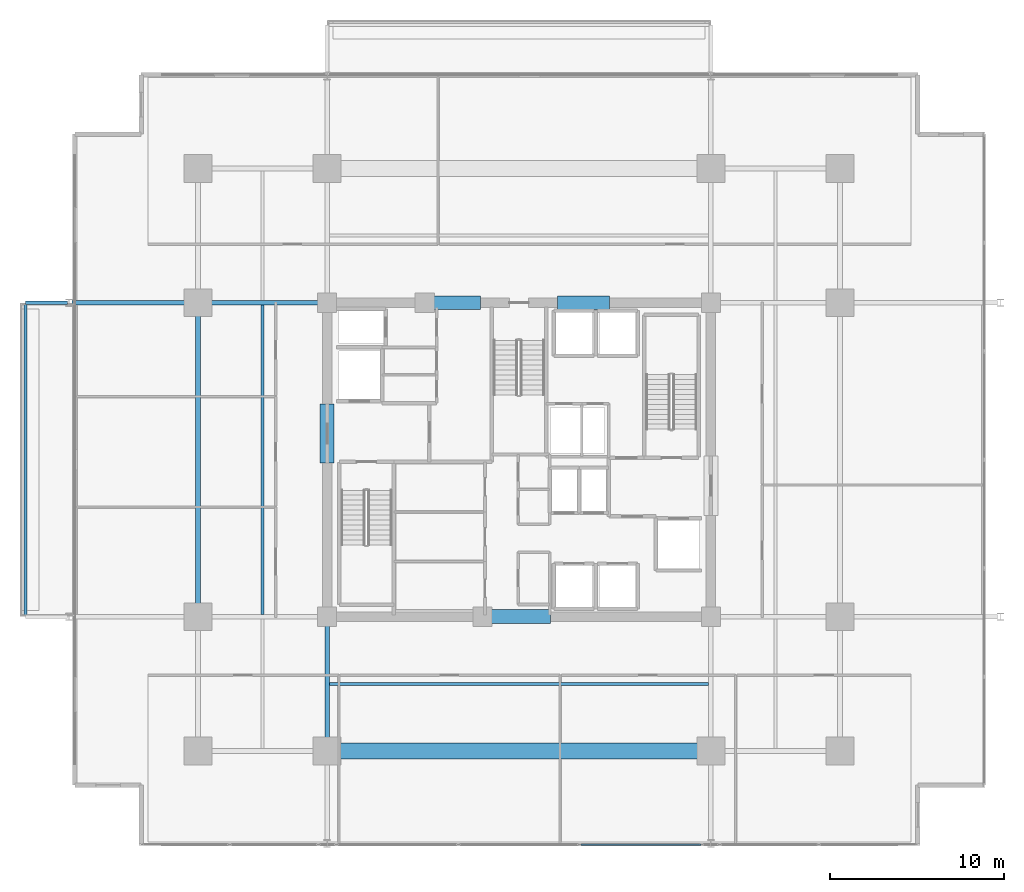
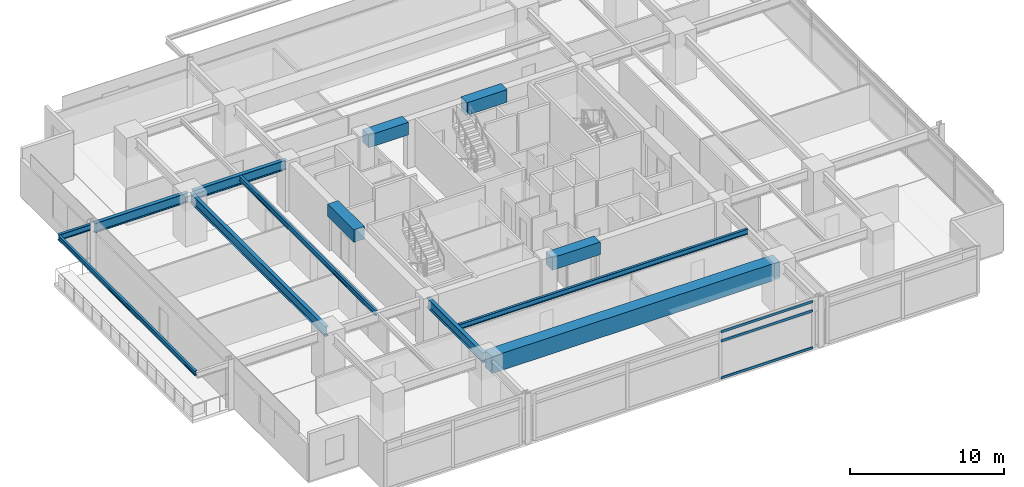
# One storey, part 5 of 20: 13 beams, 3 members, 1 element without a shape of its own.
"""IFC4 building model written with IfcOpenShell, lengths in metres."""

from ifc_helpers import new_model, si_unit, direction, frame, origin, origin_2d, place, context, subcontext, project, spatial, rectangle, hollow_rectangle, i_section, extrude, material, material_profile, profile_set, type_object, element, aggregate, save


model = new_model("IFC4")

# Units and contexts
model_context = context("Model", 3, precision=1e-05, world=origin(), true_north=direction((0.0, 1.0)))
body_context = subcontext(model_context, "Body", "Model", "MODEL_VIEW")
ifc_project = project(units=[si_unit("LENGTHUNIT", "METRE"), si_unit("AREAUNIT", "SQUARE_METRE"), si_unit("VOLUMEUNIT", "CUBIC_METRE"), si_unit("PLANEANGLEUNIT", "RADIAN"), si_unit("MASSUNIT", "GRAM", prefix="KILO")], contexts=[model_context])

# Site, building, storey
site_placement = place(None, origin())
site = spatial("IfcSite", under=ifc_project, at=site_placement, CompositionType="ELEMENT")
building_placement = place(site_placement, origin())
building = spatial("IfcBuilding", under=site, at=building_placement, Name="Kovane Verandah Tower", CompositionType="ELEMENT")
storey_placement = place(building_placement, frame((0.0, 0.0, 160.39990234375)))
storey = spatial("IfcBuildingStorey", under=building, at=storey_placement, Name="L37", CompositionType="ELEMENT", Elevation=160.39990234375)

# Beams
ifc_material_1 = material(Name="Concrete C60/75", Category="concrete")
ifc_material_profile_1 = material_profile(ifc_material_1, rectangle(XDim=0.800048828125, YDim=1.0, at=origin_2d()), Name="RCB800x1000")
ifc_profile_set_1 = profile_set([ifc_material_profile_1], Name="Concrete C60/75")
beam_type_1 = type_object("IfcBeamType", Name="BM-LINTEL-800x1000", PredefinedType="LINTEL", material=ifc_profile_set_1)
beam_1_placement = place(storey_placement, frame((38.199951171875, 18.5, 3.275146484375), z_axis=(1.0, 0.0, 0.0), x_axis=(0.0, 1.0, 0.0)))
element("IfcBeam", 1, at=beam_1_placement, inside=storey, type_object=beam_type_1, Name="L37 Core Coupling Lintel CL-S", PredefinedType="LINTEL", context=body_context, shape_type="SweptSolid", body=[
    extrude(rectangle(XDim=0.800048828125, YDim=1.0, at=origin_2d()), origin(), (0.0, 0.0, 1.0), 3.60009765625),
])
for number, where, z_axis, x_axis, name in (
    (2, (34.800048828125, 36.5, 3.275146484375), (1.0, 0.0, 0.0), (0.0, 1.0, 0.0), "L37 Core Coupling Lintel CL-N1"),
    (3, (42.199951171875, 36.5, 3.275146484375), (1.0, 0.0, 0.0), (0.0, 1.0, 0.0), "L37 Core Coupling Lintel CL-N2"),
):
    element("IfcBeam", number, at=place(storey_placement, frame(where, z_axis=z_axis, x_axis=x_axis)), inside=storey, type_object=beam_type_1, Name=name, PredefinedType="LINTEL", context=body_context, shape_type="SweptSolid", body=[
        extrude(rectangle(XDim=0.800048828125, YDim=1.0, at=origin_2d()), origin(), (0.0, 0.0, 1.0), 3.0),
    ])
beam_2_placement = place(storey_placement, frame((29.0, 27.300048828125, 3.275146484375), z_axis=(0.0, 1.0, 0.0), x_axis=(-1.0, 0.0, 0.0)))
element("IfcBeam", 4, at=beam_2_placement, inside=storey, type_object=beam_type_1, Name="L37 Core Coupling Lintel CL-W", PredefinedType="LINTEL", context=body_context, shape_type="SweptSolid", body=[
    extrude(rectangle(XDim=0.800048828125, YDim=1.0, at=origin_2d()), origin(), (0.0, 0.0, 1.0), 3.39990234375),
])
ifc_material_2 = material(Name="Concrete C80/95", Category="concrete")
ifc_material_profile_2 = material_profile(ifc_material_2, rectangle(XDim=0.89990234375, YDim=1.35009765625, at=origin_2d()), Name="RCB900x1350")
ifc_profile_set_2 = profile_set([ifc_material_profile_2], Name="Concrete C80/95")
beam_type_2 = type_object("IfcBeamType", Name="BM-TR-900x1350", PredefinedType="BEAM", material=ifc_profile_set_2)
beam_3_placement = place(storey_placement, frame((29.179931640625, 10.800048828125, 3.10009765625), z_axis=(1.0, 0.0, 0.0), x_axis=(0.0, 1.0, 0.0)))
element("IfcBeam", 5, at=beam_3_placement, inside=storey, type_object=beam_type_2, Name="L37 Primary Tower Girder G-RS2", PredefinedType="BEAM", context=body_context, shape_type="SweptSolid", body=[
    extrude(rectangle(XDim=0.89990234375, YDim=1.35009765625, at=origin_2d()), origin(), (0.0, 0.0, 1.0), 21.64013671875),
])
ifc_material_3 = material(Name="Steel S355", Category="steel")
ifc_material_profile_3 = material_profile(ifc_material_3, i_section(OverallWidth=0.26806640625, OverallDepth=0.769775390625, WebThickness=0.015625, FlangeThickness=0.025390625, FilletRadius=0.0166015625, at=origin_2d()), Name="UB762x267x197")
ifc_profile_set_3 = profile_set([ifc_material_profile_3], Name="Steel S355")
beam_type_3 = type_object("IfcBeamType", Name="BM-UB762x197", PredefinedType="BEAM", material=ifc_profile_set_3)
beam_4_placement = place(storey_placement, frame((21.60009765625, 18.679931640625, 3.39013671875), z_axis=(0.0, 1.0, 0.0), x_axis=(-1.0, 0.0, 0.0)))
element("IfcBeam", 6, at=beam_4_placement, inside=storey, type_object=beam_type_3, Name="L37 Primary Tower Girder G-RW2", PredefinedType="BEAM", context=body_context, shape_type="SweptSolid", body=[
    extrude(i_section(OverallWidth=0.26806640625, OverallDepth=0.769775390625, WebThickness=0.015625, FlangeThickness=0.025390625, FilletRadius=0.0166015625, at=origin_2d()), origin(), (0.0, 0.0, 1.0), 17.64013671875),
])
beam_5_placement = place(storey_placement, frame((28.820068359375, 36.5, 3.39013671875), z_axis=(-1.0, 0.0, 0.0), x_axis=(0.0, -1.0, 0.0)))
element("IfcBeam", 7, at=beam_5_placement, inside=storey, type_object=beam_type_3, Name="L37 Primary Tower Girder G-W2", PredefinedType="BEAM", context=body_context, shape_type="SweptSolid", body=[
    extrude(i_section(OverallWidth=0.26806640625, OverallDepth=0.769775390625, WebThickness=0.015625, FlangeThickness=0.025390625, FilletRadius=0.0166015625, at=origin_2d()), origin(), (0.0, 0.0, 1.0), 7.0400390625),
])
beam_6_placement = place(storey_placement, frame((29.0, 18.320068359375, 3.39013671875), z_axis=(0.0, -1.0, 0.0), x_axis=(1.0, 0.0, 0.0)))
element("IfcBeam", 8, at=beam_6_placement, inside=storey, type_object=beam_type_3, Name="L37 Primary Tower Girder G-S1", PredefinedType="BEAM", context=body_context, shape_type="SweptSolid", body=[
    extrude(i_section(OverallWidth=0.26806640625, OverallDepth=0.769775390625, WebThickness=0.015625, FlangeThickness=0.025390625, FilletRadius=0.0166015625, at=origin_2d()), origin(), (0.0, 0.0, 1.0), 7.340087890625),
])
beam_7_placement = place(storey_placement, frame((21.419921875, 36.5, 3.375244140625), z_axis=(-1.0, 0.0, 0.0), x_axis=(0.0, -1.0, 0.0)))
element("IfcBeam", 9, at=beam_7_placement, inside=storey, type_object=beam_type_3, Name="L37 Primary Tower Girder G-VW2", PredefinedType="BEAM", context=body_context, shape_type="SweptSolid", body=[
    extrude(i_section(OverallWidth=0.26806640625, OverallDepth=0.769775390625, WebThickness=0.015625, FlangeThickness=0.025390625, FilletRadius=0.0166015625, at=origin_2d()), origin(), (0.0, 0.0, 1.0), 7.0400390625),
])

# Curtain wall, members
ifc_material_4 = material(Name="Champagne Anodised Aluminium Frame with Low-E Clear Laminated Glass", Category="aluminium")
curtain_wall_type = type_object("IfcCurtainWallType", Name="CW-SYS-03-MID", PredefinedType="NOTDEFINED", material=ifc_material_4)
curtain_wall_placement = place(storey_placement, origin())
curtain_wall = element("IfcCurtainWall", 10, at=curtain_wall_placement, inside=storey, type_object=curtain_wall_type, Name="L37 S Unitised Curtain Wall-2", PredefinedType="NOTDEFINED")
ifc_material_5 = material(Name="Champagne Anodised Aluminium 6063-T6", Category="aluminium")
ifc_material_profile_4 = material_profile(ifc_material_5, hollow_rectangle(XDim=0.0849609375, YDim=0.18994140625, WallThickness=0.00390625, at=origin_2d()), Name="AL85x190x4")
ifc_profile_set_4 = profile_set([ifc_material_profile_4], Name="Champagne Anodised Aluminium 6063-T6")
member_type = type_object("IfcMemberType", Name="CW-TRN-85x190", PredefinedType="USERDEFINED", material=ifc_profile_set_4)
member_1_placement = place(storey_placement, frame((43.543212890625, 5.438720703125, 0.050048828125), z_axis=(1.0, 0.0, 0.0), x_axis=(0.0, 1.0, 0.0)))
member_1 = element("IfcMember", 11, at=member_1_placement, type_object=member_type, Name="L37 S Unitised Curtain Wall-2 Transom TB Bay 3", ObjectType="TRANSOM", PredefinedType="USERDEFINED", context=body_context, shape_type="SweptSolid", body=[
    extrude(hollow_rectangle(XDim=0.0849609375, YDim=0.18994140625, WallThickness=0.00390625, at=origin_2d()), origin(), (0.0, 0.0, 1.0), 6.88671875),
])
member_2_placement = place(storey_placement, frame((43.543212890625, 5.438720703125, 2.9951171875), z_axis=(1.0, 0.0, 0.0), x_axis=(0.0, 1.0, 0.0)))
member_2 = element("IfcMember", 12, at=member_2_placement, type_object=member_type, Name="L37 S Unitised Curtain Wall-2 Transom TM Bay 3", ObjectType="TRANSOM", PredefinedType="USERDEFINED", context=body_context, shape_type="SweptSolid", body=[
    extrude(hollow_rectangle(XDim=0.0849609375, YDim=0.18994140625, WallThickness=0.00390625, at=origin_2d()), origin(), (0.0, 0.0, 1.0), 6.88671875),
])
member_3_placement = place(storey_placement, frame((43.543212890625, 5.438720703125, 3.72509765625), z_axis=(1.0, 0.0, 0.0), x_axis=(0.0, 1.0, 0.0)))
member_3 = element("IfcMember", 13, at=member_3_placement, type_object=member_type, Name="L37 S Unitised Curtain Wall-2 Transom TT Bay 3", ObjectType="TRANSOM", PredefinedType="USERDEFINED", context=body_context, shape_type="SweptSolid", body=[
    extrude(hollow_rectangle(XDim=0.0849609375, YDim=0.18994140625, WallThickness=0.00390625, at=origin_2d()), origin(), (0.0, 0.0, 1.0), 6.88671875),
])
aggregate(curtain_wall, [member_1, member_2, member_3])

# Beams
ifc_material_profile_5 = material_profile(ifc_material_3, i_section(OverallWidth=0.179443359375, OverallDepth=0.412841796875, WebThickness=0.009521484375, FlangeThickness=0.01611328125, FilletRadius=0.01025390625, at=origin_2d()), Name="UB406x178x74")
ifc_profile_set_5 = profile_set([ifc_material_profile_5], Name="Steel S355")
beam_type_4 = type_object("IfcBeamType", Name="JST-UB406x74", PredefinedType="JOIST", material=ifc_profile_set_5)
beam_8_placement = place(storey_placement, frame((29.132080078125, 14.64990234375, 3.568603515625), z_axis=(1.0, 0.0, 0.0), x_axis=(0.0, 1.0, 0.0)))
element("IfcBeam", 14, at=beam_8_placement, inside=storey, type_object=beam_type_4, Name="L37 Secondary Composite Joist J-S1", PredefinedType="JOIST", context=body_context, shape_type="SweptSolid", body=[
    extrude(i_section(OverallWidth=0.179443359375, OverallDepth=0.412841796875, WebThickness=0.009521484375, FlangeThickness=0.01611328125, FilletRadius=0.01025390625, at=origin_2d()), origin(), (0.0, 0.0, 1.0), 21.73583984375),
])
beam_9_placement = place(storey_placement, frame((25.300048828125, 18.632080078125, 3.568603515625), z_axis=(0.0, 1.0, 0.0), x_axis=(-1.0, 0.0, 0.0)))
element("IfcBeam", 15, at=beam_9_placement, inside=storey, type_object=beam_type_4, Name="L37 Secondary Composite Joist J-W1", PredefinedType="JOIST", context=body_context, shape_type="SweptSolid", body=[
    extrude(i_section(OverallWidth=0.179443359375, OverallDepth=0.412841796875, WebThickness=0.009521484375, FlangeThickness=0.01611328125, FilletRadius=0.01025390625, at=origin_2d()), origin(), (0.0, 0.0, 1.0), 17.73583984375),
])
ifc_material_profile_6 = material_profile(ifc_material_3, i_section(OverallWidth=0.19287109375, OverallDepth=0.46728515625, WebThickness=0.011474609375, FlangeThickness=0.01953125, FilletRadius=0.01025390625, at=origin_2d()), Name="UB457x191x98")
ifc_profile_set_6 = profile_set([ifc_material_profile_6], Name="Steel S355")
beam_type_5 = type_object("IfcBeamType", Name="JST-UB457x98", PredefinedType="JOIST", material=ifc_profile_set_6)
beam_10_placement = place(storey_placement, frame((14.1201171875, 36.5, 3.526611328125), z_axis=(-1.0, 0.0, 0.0), x_axis=(0.0, -1.0, 0.0)))
element("IfcBeam", 16, at=beam_10_placement, inside=storey, type_object=beam_type_5, Name="L37 West Planter Girder 2", PredefinedType="JOIST", context=body_context, shape_type="SweptSolid", body=[
    extrude(i_section(OverallWidth=0.19287109375, OverallDepth=0.46728515625, WebThickness=0.011474609375, FlangeThickness=0.01953125, FilletRadius=0.01025390625, at=origin_2d()), origin(), (0.0, 0.0, 1.0), 2.403076171875),
])
ifc_material_profile_7 = material_profile(ifc_material_3, i_section(OverallWidth=0.173095703125, OverallDepth=0.36328125, WebThickness=0.009033203125, FlangeThickness=0.015625, FilletRadius=0.01025390625, at=origin_2d()), Name="UB356x171x67")
ifc_profile_set_7 = profile_set([ifc_material_profile_7], Name="Steel S355")
beam_type_6 = type_object("IfcBeamType", Name="SPD-UB356x67", PredefinedType="USERDEFINED", material=ifc_profile_set_7)
beam_11_placement = place(storey_placement, frame((11.717041015625, 18.594482421875, 3.578369140625), z_axis=(0.0, 1.0, 0.0), x_axis=(-1.0, 0.0, 0.0)))
element("IfcBeam", 17, at=beam_11_placement, inside=storey, type_object=beam_type_6, Name="L37 West Planter Edge Spandrel", ObjectType="SPANDREL", PredefinedType="USERDEFINED", context=body_context, shape_type="SweptSolid", body=[
    extrude(i_section(OverallWidth=0.173095703125, OverallDepth=0.36328125, WebThickness=0.009033203125, FlangeThickness=0.015625, FilletRadius=0.01025390625, at=origin_2d()), origin(), (0.0, 0.0, 1.0), 17.81103515625),
])

save(model, "model.ifc")
